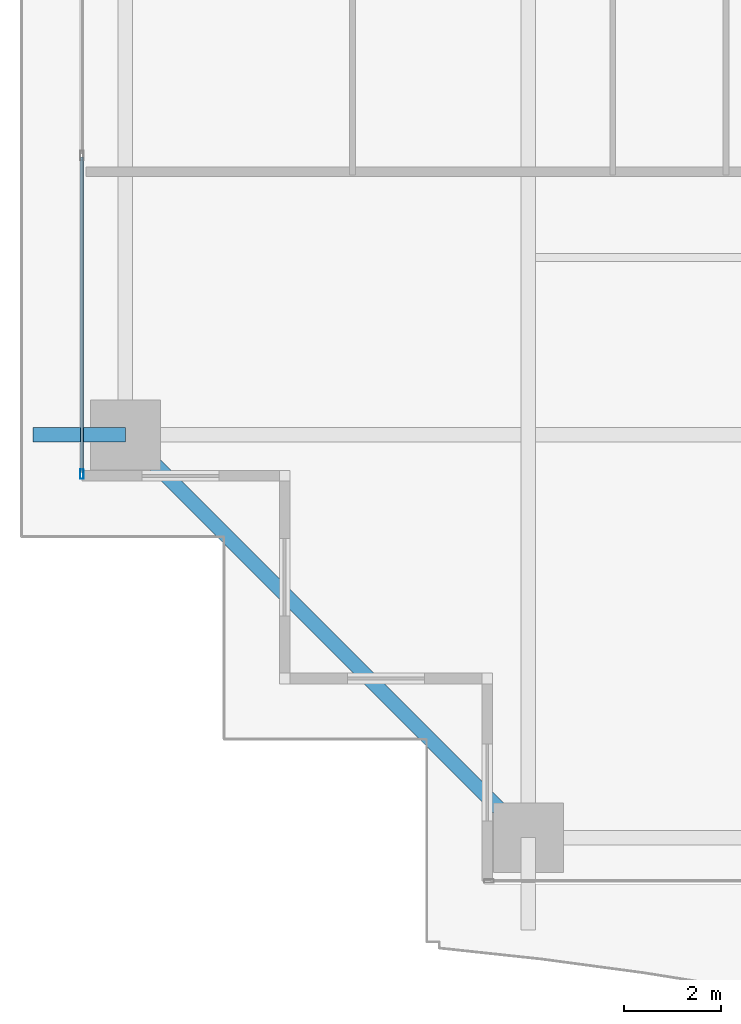
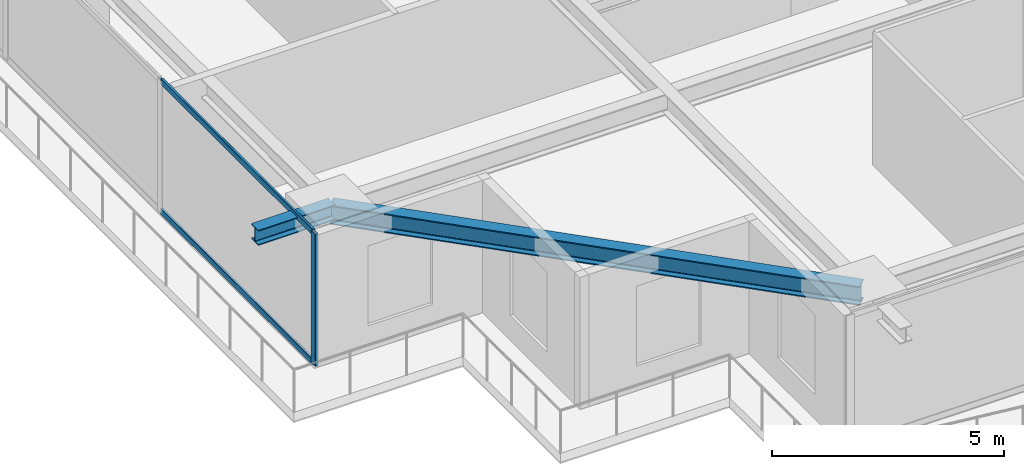
# One storey, part 3 of 39: 3 members, 2 beams, 1 element without a shape of its own.
"""IFC4 building model written with IfcOpenShell, lengths in metres."""

from ifc_helpers import new_model, si_unit, direction, frame, origin, origin_2d, place, context, subcontext, project, spatial, hollow_rectangle, i_section, extrude, source, transform, mapped, material, layer, layer_set, material_profile, profile_set, type_object, element, aggregate, save


model = new_model("IFC4")

# Units and contexts
model_context = context("Model", 3, precision=1e-05, world=origin(), true_north=direction((0.0, 1.0)))
body_context = subcontext(model_context, "Body", "Model", "MODEL_VIEW")
ifc_project = project(units=[si_unit("LENGTHUNIT", "METRE"), si_unit("AREAUNIT", "SQUARE_METRE"), si_unit("VOLUMEUNIT", "CUBIC_METRE"), si_unit("PLANEANGLEUNIT", "RADIAN"), si_unit("MASSUNIT", "GRAM", prefix="KILO")], contexts=[model_context])

# Site, building, storey
site_placement = place(None, origin())
site = spatial("IfcSite", under=ifc_project, at=site_placement, CompositionType="ELEMENT")
building_placement = place(site_placement, origin())
building = spatial("IfcBuilding", under=site, at=building_placement, Name="Serunith Strait Residences", CompositionType="ELEMENT")
storey_placement = place(building_placement, frame((0.0, 0.0, 49.199951171875)))
storey = spatial("IfcBuildingStorey", under=building, at=storey_placement, Name="L11", CompositionType="ELEMENT", Elevation=49.199951171875)

# Beams
ifc_material_1 = material(Name="Steel S355J2", Category="steel")
ifc_material_profile_1 = material_profile(ifc_material_1, i_section(OverallWidth=0.300048828125, OverallDepth=0.5, WebThickness=0.014404296875, FlangeThickness=0.028076171875, FilletRadius=0.027099609375, at=origin_2d()), Name="HEB 500")
ifc_profile_set_1 = profile_set([ifc_material_profile_1], Name="Steel S355J2")
beam_type_1 = type_object("IfcBeamType", Name="BM-HEB500", PredefinedType="BEAM", material=ifc_profile_set_1)
shared_shape_1 = source(origin(), body_context, "Body", "SweptSolid", [
    extrude(i_section(OverallWidth=0.300048828125, OverallDepth=0.5, WebThickness=0.014404296875, FlangeThickness=0.028076171875, FilletRadius=0.027099609375, at=origin_2d()), origin(), (0.0, 0.0, 1.0), 11.80859375),
])
beam_1_placement = place(storey_placement, frame((6.89990234375, 9.449951171875, 3.20703125), z_axis=(0.707117118476, -0.707096443746, 0.0), x_axis=(0.707096443746, 0.707117118476, 0.0)))
element("IfcBeam", 1, at=beam_1_placement, inside=storey, type_object=beam_type_1, Name="L11 Perimeter Ring Beam 16", PredefinedType="BEAM", context=body_context, shape_type="MappedRepresentation", body=[
    mapped(shared_shape_1, transform((0.0, 0.0, 0.0), scale=1.0)),
])
ifc_material_profile_2 = material_profile(ifc_material_1, i_section(OverallWidth=0.300048828125, OverallDepth=0.39990234375, WebThickness=0.013427734375, FlangeThickness=0.02392578125, FilletRadius=0.027099609375, at=origin_2d()), Name="HEB 400")
ifc_profile_set_2 = profile_set([ifc_material_profile_2], Name="Steel S355J2")
beam_type_2 = type_object("IfcBeamType", Name="BM-HEB400", PredefinedType="BEAM", material=ifc_profile_set_2)
shared_shape_2 = source(origin(), body_context, "Body", "SweptSolid", [
    extrude(i_section(OverallWidth=0.300048828125, OverallDepth=0.39990234375, WebThickness=0.013427734375, FlangeThickness=0.02392578125, FilletRadius=0.027099609375, at=origin_2d()), origin(), (0.0, 0.0, 1.0), 1.909912109375),
])
beam_2_placement = place(storey_placement, frame((6.89990234375, 9.449951171875, 3.257080078125), z_axis=(-1.0, 0.0, 0.0), x_axis=(0.0, -1.0, 0.0)))
element("IfcBeam", 2, at=beam_2_placement, inside=storey, type_object=beam_type_2, Name="L12 Cantilevered Balcony Rib TC-W1", PredefinedType="BEAM", context=body_context, shape_type="MappedRepresentation", body=[
    mapped(shared_shape_2, transform((0.0, 0.0, 0.0), scale=1.0)),
])

# Curtain wall, members
ifc_material_2 = material(Name="Pale-Champagne Anodised Aluminium", Category="aluminium")
ifc_layer = layer(ifc_material_2, 0.199951171875, Name="Pale-Champagne Anodised Aluminium")
ifc_layer_set = layer_set([ifc_layer], Name="Pale-Champagne Anodised Aluminium")
curtain_wall_type = type_object("IfcCurtainWallType", Name="CW-SYS1", PredefinedType="NOTDEFINED", material=ifc_layer_set)
curtain_wall_placement = place(storey_placement, origin())
curtain_wall = element("IfcCurtainWall", 3, at=curtain_wall_placement, inside=storey, type_object=curtain_wall_type, Name="L11 W Unitised Fritted Curtain Wall", PredefinedType="NOTDEFINED")
ifc_material_profile_3 = material_profile(ifc_material_2, hollow_rectangle(XDim=0.070068359375, YDim=0.199951171875, WallThickness=0.00390625, InnerFilletRadius=0.006103515625, OuterFilletRadius=0.010009765625, at=origin_2d()), Name="ALU 200x70x4")
ifc_profile_set_3 = profile_set([ifc_material_profile_3], Name="Pale-Champagne Anodised Aluminium")
member_type_1 = type_object("IfcMemberType", Name="CW-SYS1-MULL", PredefinedType="MULLION", material=ifc_profile_set_3)
shared_shape_3 = source(origin(), body_context, "Body", "SweptSolid", [
    extrude(hollow_rectangle(XDim=0.070068359375, YDim=0.199951171875, WallThickness=0.00390625, InnerFilletRadius=0.006103515625, OuterFilletRadius=0.010009765625, at=origin_2d()), origin(), (0.0, 0.0, 1.0), 3.47509765625),
])
member_1_placement = place(storey_placement, frame((6.0, 8.635009765625, 0.0), z_axis=(0.0, 0.0, 1.0), x_axis=(1.0, 0.0, 0.0)))
member_1 = element("IfcMember", 4, at=member_1_placement, type_object=member_type_1, Name="CW-1 mullion 6", PredefinedType="MULLION", context=body_context, shape_type="MappedRepresentation", body=[
    mapped(shared_shape_3, transform((0.0, 0.0, 0.0), scale=1.0)),
])
ifc_material_profile_4 = material_profile(ifc_material_2, hollow_rectangle(XDim=0.06005859375, YDim=0.159912109375, WallThickness=0.00341796875, InnerFilletRadius=0.00537109375, OuterFilletRadius=0.0087890625, at=origin_2d()), Name="ALU 160x60x3.5")
ifc_profile_set_4 = profile_set([ifc_material_profile_4], Name="Pale-Champagne Anodised Aluminium")
member_type_2 = type_object("IfcMemberType", Name="CW-SYS1-TRAN", PredefinedType="USERDEFINED", material=ifc_profile_set_4)
shared_shape_4 = source(origin(), body_context, "Body", "SweptSolid", [
    extrude(hollow_rectangle(XDim=0.06005859375, YDim=0.159912109375, WallThickness=0.00341796875, InnerFilletRadius=0.00537109375, OuterFilletRadius=0.0087890625, at=origin_2d()), origin(), (0.0, 0.0, 1.0), 6.53515625),
])
member_2_placement = place(storey_placement, frame((6.0, 15.205078125, 0.030029296875), z_axis=(0.0, -1.0, 0.0), x_axis=(1.0, 0.0, 0.0)))
member_2 = element("IfcMember", 5, at=member_2_placement, type_object=member_type_2, Name="CW-1 transom 5.1", ObjectType="TRANSOM", PredefinedType="USERDEFINED", context=body_context, shape_type="MappedRepresentation", body=[
    mapped(shared_shape_4, transform((0.0, 0.0, 0.0), scale=1.0)),
])
member_3_placement = place(storey_placement, frame((6.0, 15.205078125, 3.445068359375), z_axis=(0.0, -1.0, 0.0), x_axis=(1.0, 0.0, 0.0)))
member_3 = element("IfcMember", 6, at=member_3_placement, type_object=member_type_2, Name="CW-1 transom 5.2", ObjectType="TRANSOM", PredefinedType="USERDEFINED", context=body_context, shape_type="MappedRepresentation", body=[
    mapped(shared_shape_4, transform((0.0, 0.0, 0.0), scale=1.0)),
])
aggregate(curtain_wall, [member_1, member_2, member_3])

save(model, "model.ifc")
